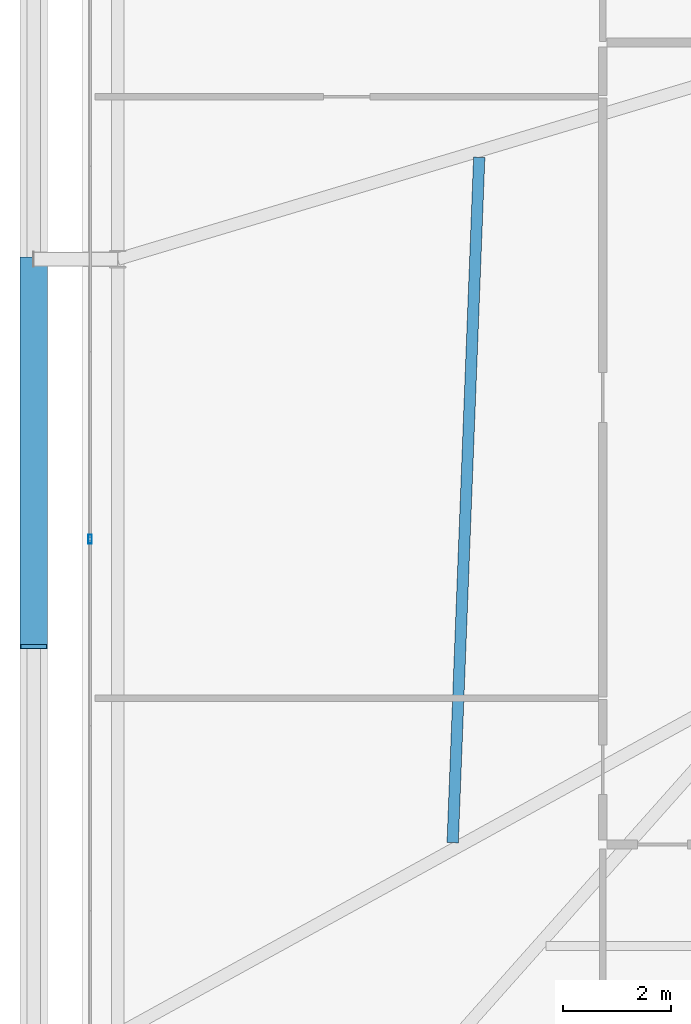
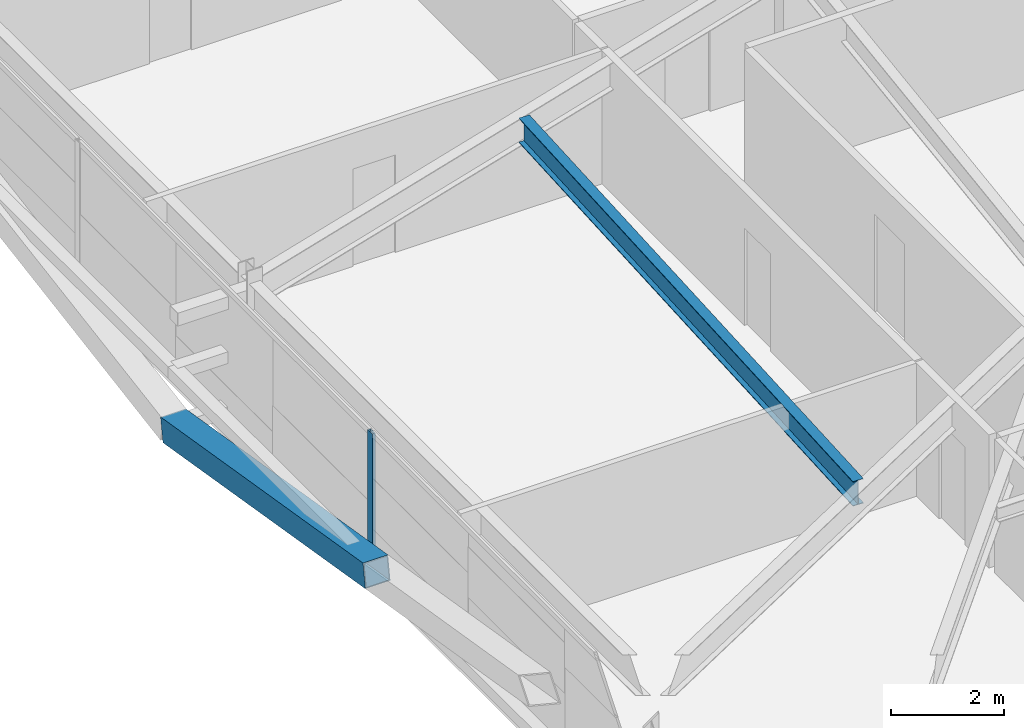
# One storey, part 8 of 45: 2 members, 1 beam, 1 element without a shape of its own.
"""IFC4 building model written with IfcOpenShell, lengths in metres."""

from ifc_helpers import new_model, si_unit, direction, frame, origin, origin_2d, place, context, subcontext, project, spatial, hollow_rectangle, i_section, extrude, source, transform, mapped, material, layer, layer_set, material_profile, profile_set, type_object, element, aggregate, save


model = new_model("IFC4")

# Units and contexts
model_context = context("Model", 3, precision=1e-05, world=origin(), true_north=direction((0.0, 1.0)))
body_context = subcontext(model_context, "Body", "Model", "MODEL_VIEW")
ifc_project = project(units=[si_unit("LENGTHUNIT", "METRE"), si_unit("AREAUNIT", "SQUARE_METRE"), si_unit("VOLUMEUNIT", "CUBIC_METRE"), si_unit("PLANEANGLEUNIT", "RADIAN"), si_unit("MASSUNIT", "GRAM", prefix="KILO")], contexts=[model_context])

# Site, building, storey
site_placement = place(None, origin())
site = spatial("IfcSite", under=ifc_project, at=site_placement, CompositionType="ELEMENT")
building_placement = place(site_placement, origin())
building = spatial("IfcBuilding", under=site, at=building_placement, Name="Taldren Reach Tower", CompositionType="ELEMENT")
storey_placement = place(building_placement, frame((0.0, 0.0, 57.75)))
storey = spatial("IfcBuildingStorey", under=building, at=storey_placement, Name="L17", CompositionType="ELEMENT", Elevation=57.75)

# Beam
ifc_material_1 = material(Name="Steel Gr 350 (350PLUS)", Category="steel")
ifc_material_profile_1 = material_profile(ifc_material_1, i_section(OverallWidth=0.208984375, OverallDepth=0.532958984375, WebThickness=0.01025390625, FlangeThickness=0.015625, at=origin_2d()), Name="530UB92.4")
ifc_profile_set_1 = profile_set([ifc_material_profile_1], Name="Steel Gr 350 (350PLUS)")
beam_type = type_object("IfcBeamType", Name="BM-UB530A", PredefinedType="BEAM", material=ifc_profile_set_1)
shared_shape_1 = source(origin(), body_context, "Body", "SweptSolid", [
    extrude(i_section(OverallWidth=0.208984375, OverallDepth=0.532958984375, WebThickness=0.01025390625, FlangeThickness=0.015625, at=origin_2d()), origin(), (0.0, 0.0, 1.0), 12.65625),
])
beam_placement = place(storey_placement, frame((11.830078125, 9.23291015625, 2.603515625), z_axis=(0.0387346395, 0.99924953225, 0.0), x_axis=(-0.99924953225, 0.0387346395, 0.0)))
element("IfcBeam", 1, at=beam_placement, inside=storey, type_object=beam_type, Name="Secondary floor beam B1 J6 L17", PredefinedType="BEAM", context=body_context, shape_type="MappedRepresentation", body=[
    mapped(shared_shape_1, transform((0.0, 0.0, 0.0), scale=1.0)),
])

# Member
ifc_material_2 = material(Name="Steel Gr 450 (C450L0)", Category="steel")
ifc_material_profile_2 = material_profile(ifc_material_2, hollow_rectangle(XDim=0.510009765625, YDim=0.510009765625, WallThickness=0.02001953125, at=origin_2d()), Name="510x510x20.0SHS")
ifc_profile_set_2 = profile_set([ifc_material_profile_2], Name="Steel Gr 450 (C450L0)")
member_type_1 = type_object("IfcMemberType", Name="MB-EXO508", PredefinedType="BRACE", material=ifc_profile_set_2)
shared_shape_2 = source(origin(), body_context, "Body", "SweptSolid", [
    extrude(hollow_rectangle(XDim=0.510009765625, YDim=0.510009765625, WallThickness=0.02001953125, at=origin_2d()), origin(), (0.0, 0.0, 1.0), 7.24755859375),
])
member_1_placement = place(storey_placement, frame((4.10009765625, 20.0, 0.219970703125), z_axis=(0.0, -0.986541018832, 0.163513969317), x_axis=(1.0, 0.0, 0.0)))
element("IfcMember", 2, at=member_1_placement, inside=storey, type_object=member_type_1, Name="Exoskeleton Diagrid Brace B1-W1 L17", PredefinedType="BRACE", context=body_context, shape_type="MappedRepresentation", body=[
    mapped(shared_shape_2, transform((0.0, 0.0, 0.0), scale=1.0)),
])

# Curtain wall, member
ifc_material_3 = material(Name="Aluminium and Low-E Glass Unitised System", Category="aluminium")
ifc_layer = layer(ifc_material_3, 0.159912109375)
ifc_layer_set = layer_set([ifc_layer], Name="Aluminium and Low-E Glass Unitised System")
curtain_wall_type = type_object("IfcCurtainWallType", Name="CW-SYS-2", PredefinedType="NOTDEFINED", material=ifc_layer_set)
curtain_wall_placement = place(storey_placement, origin())
curtain_wall = element("IfcCurtainWall", 3, at=curtain_wall_placement, inside=storey, type_object=curtain_wall_type, Name="Unitised curtain wall CW-L17-W", PredefinedType="NOTDEFINED")
ifc_material_4 = material(Name="Anodised Aluminium 6063-T6", Category="aluminium")
ifc_material_profile_3 = material_profile(ifc_material_4, hollow_rectangle(XDim=0.06494140625, YDim=0.1650390625, WallThickness=0.00390625, at=origin_2d()), Name="ALU-165x65x4RHS")
ifc_profile_set_3 = profile_set([ifc_material_profile_3], Name="Anodised Aluminium 6063-T6")
member_type_2 = type_object("IfcMemberType", Name="CW-MUL-165", PredefinedType="MULLION", material=ifc_profile_set_3)
shared_shape_3 = source(origin(), body_context, "Body", "SweptSolid", [
    extrude(hollow_rectangle(XDim=0.06494140625, YDim=0.1650390625, WallThickness=0.00390625, at=origin_2d()), origin(), (0.0, 0.0, 1.0), 2.8701171875),
])
member_2_placement = place(storey_placement, frame((5.139892578125, 14.833251953125, 0.0), z_axis=(0.0, 0.0, 1.0), x_axis=(1.0, 0.0, 0.0)))
member_2 = element("IfcMember", 4, at=member_2_placement, type_object=member_type_2, Name="CW-2 mullion 3", PredefinedType="MULLION", context=body_context, shape_type="MappedRepresentation", body=[
    mapped(shared_shape_3, transform((0.0, 0.0, 0.0), scale=1.0)),
])
aggregate(curtain_wall, [member_2])

save(model, "model.ifc")
